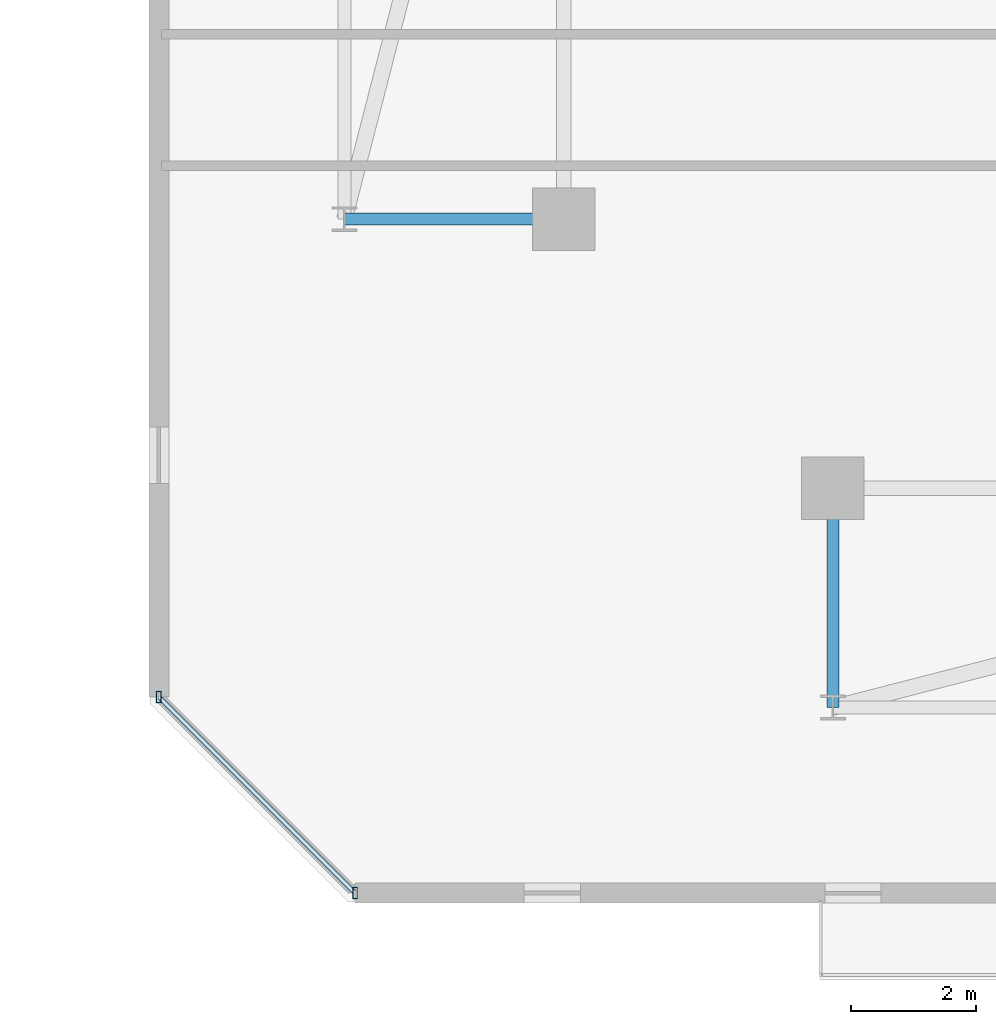
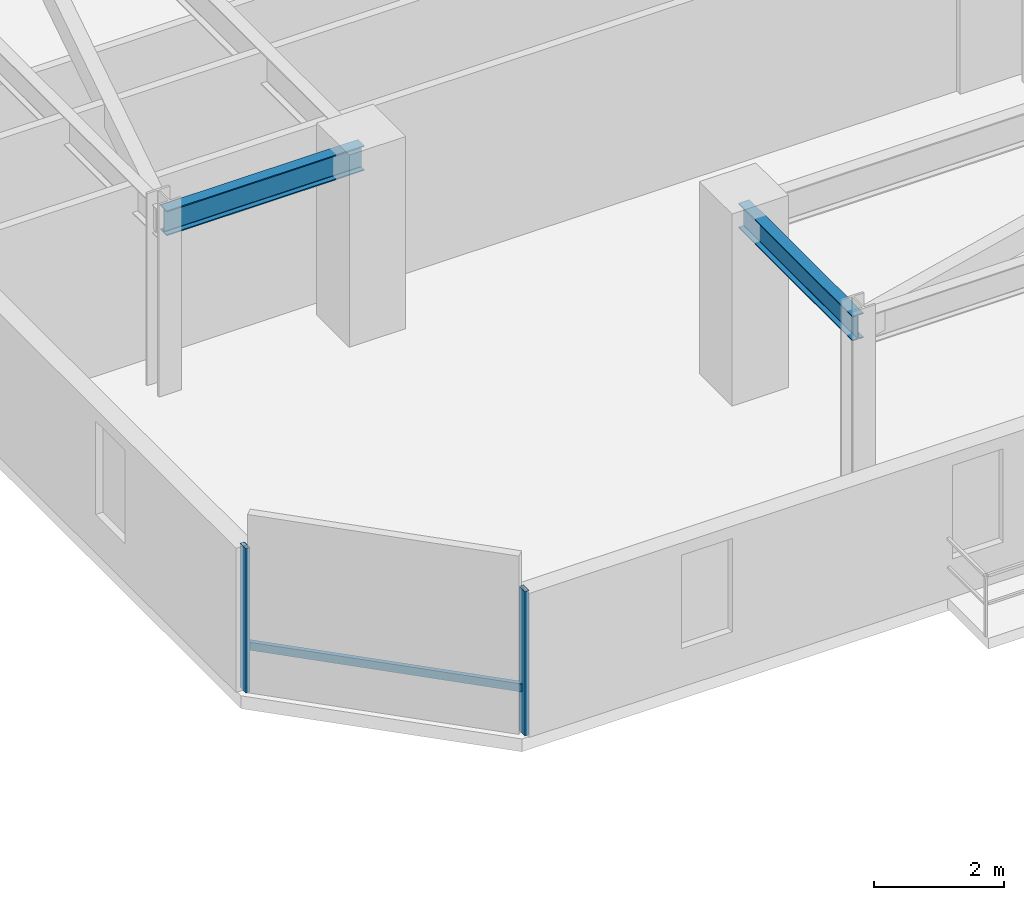
# One storey, part 11 of 33: 3 members, 2 beams, 1 element without a shape of its own.
"""IFC4 building model written with IfcOpenShell, lengths in metres."""

import ifcopenshell
import ifcopenshell.guid

model = None  # the IFC model being written
_history = None  # IfcOwnerHistory: only IFC2X3 demands one
_inside = {}  # id of a spatial element -> (the spatial element, [elements in it])
_under = {}  # id of a project, library or spatial element -> (it, [spatial elements below it])
_declared = {}  # id of a project -> (the project, [libraries it declares])
_typed = {}  # id of a type object -> (the type object, [elements of that type])
_made_of = {}  # id of a material, layer set ... -> (it, [elements and type objects made of it])


def new_model(schema):
    """Start an empty IFC model of exactly this schema.

    Asked for "IFC4X3", IfcOpenShell would pick the latest addendum, in which some entities
    have other attributes; the version numbers below select the first issue.
    IFC2X3 requires an IfcOwnerHistory on every rooted entity: one is made here for all.
    """
    global model, _history
    if schema == "IFC4X3":
        model = ifcopenshell.file(schema_version=(4, 3, 0, 0))
    else:
        model = ifcopenshell.file(schema=schema)
    _inside.clear()
    _under.clear()
    _declared.clear()
    _typed.clear()
    _made_of.clear()
    _history = None
    if model.schema == "IFC2X3":
        org = make("IfcOrganization", Name="unknown")
        user = make(
            "IfcPersonAndOrganization",
            ThePerson=make("IfcPerson", FamilyName="unknown"),
            TheOrganization=org,
        )
        app = make(
            "IfcApplication",
            ApplicationDeveloper=org,
            Version="unknown",
            ApplicationFullName="unknown",
            ApplicationIdentifier="unknown",
        )
        _history = make(
            "IfcOwnerHistory",
            OwningUser=user,
            OwningApplication=app,
            ChangeAction="ADDED",
            CreationDate=0,
        )
    return model


def make(cls, **values):
    """One entity of the class cls with the attributes given. An attribute that is None is left unset."""
    return model.create_entity(
        cls, **{name: value for name, value in values.items() if value is not None}
    )


def rooted(cls, **values):
    """An entity with a GlobalId (a new one), such as an element, a storey or a relation."""
    return make(cls, GlobalId=ifcopenshell.guid.new(), OwnerHistory=_history, **values)


def si_unit(unit_type, name, prefix=None):
    """IfcSIUnit, for example si_unit("LENGTHUNIT", "METRE", prefix="MILLI")."""
    return make("IfcSIUnit", UnitType=unit_type, Prefix=prefix, Name=name)


def assignment(units):
    """IfcUnitAssignment: the units of a project."""
    return None if units is None else make("IfcUnitAssignment", Units=units)


def point(xyz):
    """IfcCartesianPoint."""
    return None if xyz is None else make("IfcCartesianPoint", Coordinates=xyz)


def direction(xyz):
    """IfcDirection."""
    return None if xyz is None else make("IfcDirection", DirectionRatios=xyz)


def frame(location, z_axis=None, x_axis=None):
    """IfcAxis2Placement3D, a coordinate frame: its origin and axes. An axis left out is left unset."""
    return make(
        "IfcAxis2Placement3D",
        Location=point(location),
        Axis=direction(z_axis),
        RefDirection=direction(x_axis),
    )


def frame_2d(location, x_axis=None):
    """IfcAxis2Placement2D, a coordinate frame in the plane: its origin and x axis."""
    return make(
        "IfcAxis2Placement2D", Location=point(location), RefDirection=direction(x_axis)
    )


def origin():
    """The frame at (0, 0, 0) with its axes left unset."""
    return frame((0.0, 0.0, 0.0))


def origin_2d():
    """The frame at (0, 0) in the plane with its x axis left unset."""
    return frame_2d((0.0, 0.0))


def place(relative_to, where):
    """IfcLocalPlacement: puts the frame where relative to a parent placement (None: the world)."""
    return make(
        "IfcLocalPlacement", PlacementRelTo=relative_to, RelativePlacement=where
    )


def context(
    kind, dimensions, precision=None, world=None, true_north=None, identifier=None
):
    """IfcGeometricRepresentationContext, for example the 3D "Model" context."""
    return make(
        "IfcGeometricRepresentationContext",
        ContextIdentifier=identifier,
        ContextType=kind,
        CoordinateSpaceDimension=dimensions,
        Precision=precision,
        WorldCoordinateSystem=world,
        TrueNorth=true_north,
    )


def subcontext(parent, identifier, kind, view, scale=None):
    """IfcGeometricRepresentationSubContext, for example "Body" below "Model"."""
    return make(
        "IfcGeometricRepresentationSubContext",
        ContextIdentifier=identifier,
        ContextType=kind,
        ParentContext=parent,
        TargetScale=scale,
        TargetView=view,
    )


def project(units=None, contexts=None):
    """IfcProject with its units and contexts."""
    return rooted(
        "IfcProject",
        Name="project",
        RepresentationContexts=contexts,
        UnitsInContext=assignment(units),
    )


def spatial(cls, under=None, at=None, **own):
    """A site, building, storey or space (cls), placed at a placement, below another one or the project."""
    s = rooted(cls, ObjectPlacement=at, **own)
    if under is not None:
        _under.setdefault(under.id(), (under, []))[1].append(s)
    return s


def profile(cls, at=None, kind="AREA", **sizes):
    """A parametric profile (cls). Its sizes go by their IFC names, for example OverallWidth=200.0."""
    return make(cls, ProfileType=kind, Position=at, **sizes)


def hollow_rectangle(**sizes):
    """IfcRectangleHollowProfileDef."""
    return profile("IfcRectangleHollowProfileDef", **sizes)


def i_section(**sizes):
    """IfcIShapeProfileDef."""
    return profile("IfcIShapeProfileDef", **sizes)


def extrude(swept, where, along, depth):
    """IfcExtrudedAreaSolid: the profile swept, set in the frame where, extruded along a direction by depth."""
    return make(
        "IfcExtrudedAreaSolid",
        SweptArea=swept,
        Position=where,
        ExtrudedDirection=direction(along),
        Depth=depth,
    )


def shape(context_of_items, identifier, shape_type, items):
    """IfcShapeRepresentation: the items that make up one representation, for example the "Body"."""
    return make(
        "IfcShapeRepresentation",
        ContextOfItems=context_of_items,
        RepresentationIdentifier=identifier,
        RepresentationType=shape_type,
        Items=items,
    )


def material(Name=None, Category=None):
    """IfcMaterial."""
    return make("IfcMaterial", Name=Name, Category=Category)


def material_profile(
    of_material, cross_section, Name=None, Category=None, Priority=None
):
    """IfcMaterialProfile: a cross section and its material."""
    return make(
        "IfcMaterialProfile",
        Name=Name,
        Material=of_material,
        Profile=cross_section,
        Priority=Priority,
        Category=Category,
    )


def profile_set(profiles, Name=None, composite=None):
    """IfcMaterialProfileSet."""
    return make(
        "IfcMaterialProfileSet",
        Name=Name,
        MaterialProfiles=profiles,
        CompositeProfile=composite,
    )


def made_of(thing, what):
    """Note that an element or type object is made of a material, layer set ...; save() writes the relation."""
    if what is not None:
        _made_of.setdefault(what.id(), (what, []))[1].append(thing)
    return thing


def type_object(cls, material=None, **own):
    """A type object (cls), such as IfcWallType, which elements share."""
    return made_of(rooted(cls, **own), material)


def element(
    cls,
    number,
    at=None,
    inside=None,
    cuts=None,
    type_object=None,
    material=None,
    context=None,
    identifier="Body",
    shape_type=None,
    held_by="IfcProductDefinitionShape",
    body=None,
    shapes=None,
    **own,
):
    """One element of the class cls, such as IfcWall. Its Tag is "e" and its number.

    at: its placement. inside: the storey or other place that contains it. cuts: it is an
    opening in that element (IfcRelVoidsElement). A single representation is given by context,
    identifier, shape_type and body (its items); several are given by shapes. held_by: the class
    of the entity that holds the representations. save() writes the other relations.
    """
    e = rooted(cls, Tag="e%d" % number, ObjectPlacement=at, **own)
    if body is not None:
        shapes = [shape(context, identifier, shape_type, body)]
    if shapes is not None:
        e.Representation = make(held_by, Representations=shapes)
    if inside is not None:
        _inside.setdefault(inside.id(), (inside, []))[1].append(e)
    if cuts is not None:
        rooted(
            "IfcRelVoidsElement", RelatingBuildingElement=cuts, RelatedOpeningElement=e
        )
    if type_object is not None:
        _typed.setdefault(type_object.id(), (type_object, []))[1].append(e)
    return made_of(e, material)


def aggregate(whole, parts):
    """IfcRelAggregates: a whole, such as a stair, and the parts it consists of."""
    return rooted("IfcRelAggregates", RelatingObject=whole, RelatedObjects=parts)


def save(model, path):
    """Write the relations noted so far, then the file.

    IfcRelAggregates (storeys below a building ...), IfcRelContainedInSpatialStructure (elements
    in a storey), IfcRelDefinesByType, IfcRelAssociatesMaterial and IfcRelDeclares: one each for
    every whole, place, type object, material and project.
    """
    for whole, parts in _under.values():
        aggregate(whole, parts)
    for where, things in _inside.values():
        rooted(
            "IfcRelContainedInSpatialStructure",
            RelatedElements=things,
            RelatingStructure=where,
        )
    for kind, things in _typed.values():
        rooted("IfcRelDefinesByType", RelatedObjects=things, RelatingType=kind)
    for what, things in _made_of.values():
        rooted("IfcRelAssociatesMaterial", RelatedObjects=things, RelatingMaterial=what)
    for by, libraries in _declared.values():
        rooted("IfcRelDeclares", RelatingContext=by, RelatedDefinitions=libraries)
    model.write(path)


model = new_model("IFC4")

# Units and contexts
model_context = context("Model", 3, precision=1e-05, world=origin(), true_north=direction((0.0, 1.0)))
body_context = subcontext(model_context, "Body", "Model", "MODEL_VIEW")
ifc_project = project(units=[si_unit("LENGTHUNIT", "METRE"), si_unit("AREAUNIT", "SQUARE_METRE"), si_unit("VOLUMEUNIT", "CUBIC_METRE"), si_unit("PLANEANGLEUNIT", "RADIAN"), si_unit("MASSUNIT", "GRAM", prefix="KILO")], contexts=[model_context])

# Site, building, storey
site_placement = place(None, origin())
site = spatial("IfcSite", under=ifc_project, at=site_placement, CompositionType="ELEMENT")
building_placement = place(site_placement, origin())
building = spatial("IfcBuilding", under=site, at=building_placement, Name="Thornwick Lancets Civic Towers", CompositionType="ELEMENT")
storey_placement = place(building_placement, frame((0.0, 0.0, 214.5)))
storey = spatial("IfcBuildingStorey", under=building, at=storey_placement, Name="L57", CompositionType="ELEMENT", Elevation=214.5)

# Beams
ifc_material_1 = material(Name="Steel S355JR", Category="steel")
ifc_material_profile_1 = material_profile(ifc_material_1, i_section(OverallWidth=0.19287109375, OverallDepth=0.46728515625, WebThickness=0.011474609375, FlangeThickness=0.01953125, FilletRadius=0.01025390625, at=origin_2d()), Name="UKB 457x191x98")
ifc_profile_set_1 = profile_set([ifc_material_profile_1], Name="Steel S355JR")
beam_type = type_object("IfcBeamType", Name="BM_JOIST_457_98", PredefinedType="JOIST", material=ifc_profile_set_1)
for number, where, z_axis, x_axis, name in (
    (1, (71.199951171875, 14.0, 3.12646484375), (-1.0, 0.0, 0.0), (0.0, -1.0, 0.0), "BM-RAD-L57-B07"),
    (2, (75.5, 9.699951171875, 3.12646484375), (0.0, -1.0, 0.0), (1.0, 0.0, 0.0), "BM-RAD-L57-B12"),
):
    element("IfcBeam", number, at=place(storey_placement, frame(where, z_axis=z_axis, x_axis=x_axis)), inside=storey, type_object=beam_type, Name=name, PredefinedType="JOIST", context=body_context, shape_type="SweptSolid", body=[
        extrude(i_section(OverallWidth=0.19287109375, OverallDepth=0.46728515625, WebThickness=0.011474609375, FlangeThickness=0.01953125, FilletRadius=0.01025390625, at=origin_2d()), origin(), (0.0, 0.0, 1.0), 3.5),
    ])

# Curtain wall, members
ifc_material_2 = material(Name="High-zone chamfered-corner unitised glass curtain wall", Category="glass")
curtain_wall_type = type_object("IfcCurtainWallType", Name="CW_SYS_05", PredefinedType="NOTDEFINED", material=ifc_material_2)
curtain_wall_placement = place(storey_placement, origin())
curtain_wall = element("IfcCurtainWall", 3, at=curtain_wall_placement, inside=storey, type_object=curtain_wall_type, Name="L57 Curtain Wall CW-L57-B-E7", PredefinedType="NOTDEFINED")
ifc_material_3 = material(Name="Thermally broken bronze aluminium S355", Category="steel")
ifc_material_profile_2 = material_profile(ifc_material_3, hollow_rectangle(XDim=0.074951171875, YDim=0.179931640625, WallThickness=0.006103515625, at=origin_2d()), Name="RHS 180x75x6")
ifc_profile_set_2 = profile_set([ifc_material_profile_2], Name="Thermally broken bronze aluminium S355")
member_type_1 = type_object("IfcMemberType", Name="CW_MUL_180", PredefinedType="MULLION", material=ifc_profile_set_2)
member_1_placement = place(storey_placement, frame((64.7373046875, 6.37060546875, 0.0), z_axis=(0.0, 0.0, 1.0), x_axis=(1.0, 0.0, 0.0)))
member_1 = element("IfcMember", 4, at=member_1_placement, type_object=member_type_1, Name="CW-L57-B-E7 Mullion 0", PredefinedType="MULLION", context=body_context, shape_type="SweptSolid", body=[
    extrude(hollow_rectangle(XDim=0.074951171875, YDim=0.179931640625, WallThickness=0.006103515625, at=origin_2d()), origin(), (0.0, 0.0, 1.0), 2.699951171875),
])
member_2_placement = place(storey_placement, frame((67.87060546875, 3.2373046875, 0.0), z_axis=(0.0, 0.0, 1.0), x_axis=(1.0, 0.0, 0.0)))
member_2 = element("IfcMember", 5, at=member_2_placement, type_object=member_type_1, Name="CW-L57-B-E7 Mullion 1", PredefinedType="MULLION", context=body_context, shape_type="SweptSolid", body=[
    extrude(hollow_rectangle(XDim=0.074951171875, YDim=0.179931640625, WallThickness=0.006103515625, at=origin_2d()), origin(), (0.0, 0.0, 1.0), 2.699951171875),
])
ifc_material_profile_3 = material_profile(ifc_material_3, hollow_rectangle(XDim=0.074951171875, YDim=0.14990234375, WallThickness=0.0048828125, at=origin_2d()), Name="RHS 150x75x5")
ifc_profile_set_3 = profile_set([ifc_material_profile_3], Name="Thermally broken bronze aluminium S355")
member_type_2 = type_object("IfcMemberType", Name="CW_TRN_150", PredefinedType="USERDEFINED", material=ifc_profile_set_3)
member_3_placement = place(storey_placement, frame((64.751220703125, 6.3564453125, 0.85009765625), z_axis=(0.707106781187, -0.707106781187, 0.0), x_axis=(0.707106781187, 0.707106781187, 0.0)))
member_3 = element("IfcMember", 6, at=member_3_placement, type_object=member_type_2, Name="CW-L57-B-E7 Transom 0", ObjectType="TRANSOM", PredefinedType="USERDEFINED", context=body_context, shape_type="SweptSolid", body=[
    extrude(hollow_rectangle(XDim=0.074951171875, YDim=0.14990234375, WallThickness=0.0048828125, at=origin_2d()), origin(), (0.0, 0.0, 1.0), 4.391357421875),
])
aggregate(curtain_wall, [member_1, member_2, member_3])

save(model, "model.ifc")
